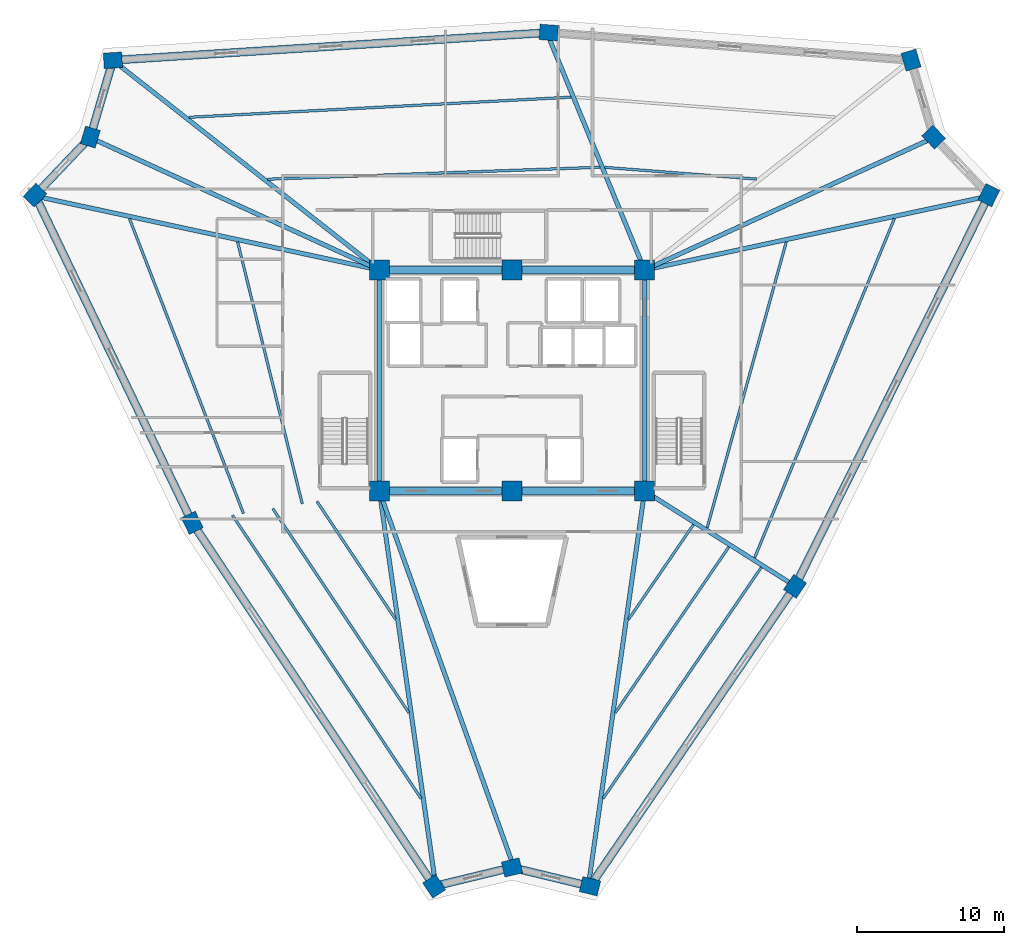
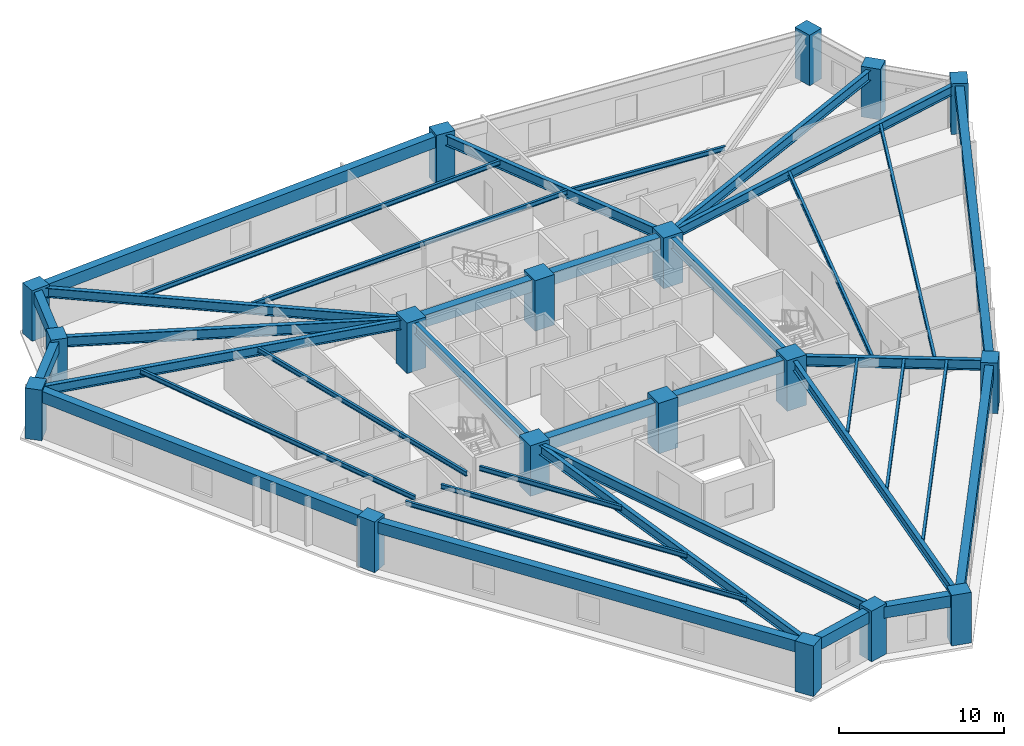
# One storey, part 1 of 8: 38 beams, 18 columns.
"""IFC4 building model written with IfcOpenShell, lengths in metres."""

from ifc_helpers import new_model, si_unit, direction, frame, origin, origin_2d, place, context, subcontext, project, spatial, rectangle, i_section, extrude, source, transform, mapped, material, material_profile, profile_set, type_object, element, save


model = new_model("IFC4")

# Units and contexts
model_context = context("Model", 3, precision=1e-05, world=origin(), true_north=direction((0.0, 1.0)))
body_context = subcontext(model_context, "Body", "Model", "MODEL_VIEW")
ifc_project = project(units=[si_unit("LENGTHUNIT", "METRE"), si_unit("AREAUNIT", "SQUARE_METRE"), si_unit("VOLUMEUNIT", "CUBIC_METRE"), si_unit("PLANEANGLEUNIT", "RADIAN"), si_unit("MASSUNIT", "GRAM", prefix="KILO")], contexts=[model_context])

# Site, building, storey
site_placement = place(None, origin())
site = spatial("IfcSite", under=ifc_project, at=site_placement, CompositionType="ELEMENT")
building_placement = place(site_placement, origin())
building = spatial("IfcBuilding", under=site, at=building_placement, Name="Liaohun Quay Tower", CompositionType="ELEMENT")
storey_placement = place(building_placement, frame((0.0, 0.0, 243.75)))
storey = spatial("IfcBuildingStorey", under=building, at=storey_placement, Name="L63", CompositionType="ELEMENT", Elevation=243.75)

# Columns
ifc_material_1 = material(Name="Concrete C55", Category="concrete")
ifc_material_profile_1 = material_profile(ifc_material_1, rectangle(XDim=1.35009765625, YDim=1.35009765625, at=origin_2d()), Name="RC1350x1350")
ifc_profile_set_1 = profile_set([ifc_material_profile_1], Name="Concrete C55")
column_type_1 = type_object("IfcColumnType", Name="COL-CC-Z3", PredefinedType="COLUMN", material=ifc_profile_set_1)
shared_shape_1 = source(origin(), body_context, "Body", "SweptSolid", [
    extrude(rectangle(XDim=1.35009765625, YDim=1.35009765625, at=origin_2d()), origin(), (0.0, 0.0, 1.0), 3.75),
])
for number, where, z_axis, x_axis, name in (
    (1, (51.0, 46.5, 0.0), (0.0, 0.0, 1.0), (1.0, 0.0, 0.0), "L63 Core Column CC1"),
    (2, (60.0, 46.5, 0.0), (0.0, 0.0, 1.0), (1.0, 0.0, 0.0), "L63 Core Column CC2"),
    (3, (69.0, 46.5, 0.0), (0.0, 0.0, 1.0), (1.0, 0.0, 0.0), "L63 Core Column CC3"),
    (4, (69.0, 61.5, 0.0), (0.0, 0.0, 1.0), (1.0, 0.0, 0.0), "L63 Core Column CC4"),
    (5, (60.0, 61.5, 0.0), (0.0, 0.0, 1.0), (1.0, 0.0, 0.0), "L63 Core Column CC5"),
    (6, (51.0, 61.5, 0.0), (0.0, 0.0, 1.0), (1.0, 0.0, 0.0), "L63 Core Column CC6"),
):
    element("IfcColumn", number, at=place(storey_placement, frame(where, z_axis=z_axis, x_axis=x_axis)), inside=storey, type_object=column_type_1, Name=name, PredefinedType="COLUMN", context=body_context, shape_type="MappedRepresentation", body=[
        mapped(shared_shape_1, transform((0.0, 0.0, 0.0), x_axis=(1.0, 0.0, 0.0), y_axis=(0.0, 1.0, 0.0), z_axis=(0.0, 0.0, 1.0), scale=1.0)),
    ])
ifc_material_profile_2 = material_profile(ifc_material_1, rectangle(XDim=1.25, YDim=1.050048828125, at=origin_2d()), Name="RC1250x1050")
ifc_profile_set_2 = profile_set([ifc_material_profile_2], Name="Concrete C55")
column_type_2 = type_object("IfcColumnType", Name="COL-PIER-Z3", PredefinedType="COLUMN", material=ifc_profile_set_2)
shared_shape_2 = source(origin(), body_context, "Body", "SweptSolid", [
    extrude(rectangle(XDim=1.25, YDim=1.050048828125, at=origin_2d()), origin(), (0.0, 0.0, 1.0), 3.75),
])
for number, where, z_axis, x_axis, name in (
    (7, (54.715087890625, 19.677001953125, 0.0), (0.0, 0.0, 1.0), (-0.55397290306, 0.83253469758, 0.0), "L63 Perimeter Pier PC01"),
    (8, (38.300048828125, 44.346923828125, 0.0), (0.0, 0.0, 1.0), (-0.43271524133, 0.9015306539, 0.0), "L63 Perimeter Pier PC02"),
    (9, (27.626953125, 66.5791015625, 0.0), (0.0, 0.0, 1.0), (0.68936671806, 0.724412539946, 0.0), "L63 Perimeter Pier PC03"),
    (10, (31.381103515625, 70.52392578125, 0.0), (0.0, 0.0, 1.0), (0.282508884416, 0.959264682049, 0.0), "L63 Perimeter Pier PC04"),
    (11, (32.9169921875, 75.738037109375, 0.0), (0.0, 0.0, 1.0), (0.997982649167, 0.063487258268, 0.0), "L63 Perimeter Pier PC05"),
    (12, (62.490966796875, 77.6201171875, 0.0), (0.0, 0.0, 1.0), (-0.997106069232, 0.076022935354, 0.0), "L63 Perimeter Pier PC06"),
    (13, (87.080078125, 75.74609375, 0.0), (0.0, 0.0, 1.0), (-0.282508884416, 0.959264682049, 0.0), "L63 Perimeter Pier PC07"),
    (14, (88.618896484375, 70.52392578125, 0.0), (0.0, 0.0, 1.0), (-0.68936671806, 0.724412539946, 0.0), "L63 Perimeter Pier PC08"),
    (15, (92.366943359375, 66.5849609375, 0.0), (0.0, 0.0, 1.0), (0.444009746106, 0.896021955849, 0.0), "L63 Perimeter Pier PC09"),
    (16, (79.2099609375, 40.033935546875, 0.0), (0.0, 0.0, 1.0), (0.564390827903, 0.825507718546, 0.0), "L63 Perimeter Pier PC10"),
    (17, (65.2919921875, 19.675048828125, 0.0), (0.0, 0.0, 1.0), (-0.972043021443, 0.234802820391, 0.0), "L63 Perimeter Pier PC11"),
    (18, (60.0, 20.952880859375, 0.0), (0.0, 0.0, 1.0), (0.972043021443, 0.234802820391, 0.0), "L63 Perimeter Pier PC12"),
):
    element("IfcColumn", number, at=place(storey_placement, frame(where, z_axis=z_axis, x_axis=x_axis)), inside=storey, type_object=column_type_2, Name=name, PredefinedType="COLUMN", context=body_context, shape_type="MappedRepresentation", body=[
        mapped(shared_shape_2, transform((0.0, 0.0, 0.0), x_axis=(1.0, 0.0, 0.0), y_axis=(0.0, 1.0, 0.0), z_axis=(0.0, 0.0, 1.0), scale=1.0)),
    ])

# Beams
ifc_material_2 = material(Name="Steel Q355D", Category="steel")
ifc_material_profile_3 = material_profile(ifc_material_2, i_section(OverallWidth=0.300048828125, OverallDepth=0.800048828125, WebThickness=0.013916015625, FlangeThickness=0.02587890625, at=origin_2d()), Name="HN800x300x14x26")
ifc_profile_set_3 = profile_set([ifc_material_profile_3], Name="Steel Q355D")
beam_type_1 = type_object("IfcBeamType", Name="BM-RAD-M1", PredefinedType="BEAM", material=ifc_profile_set_3)
shared_shape_3 = source(origin(), body_context, "Body", "SweptSolid", [
    extrude(i_section(OverallWidth=0.300048828125, OverallDepth=0.800048828125, WebThickness=0.013916015625, FlangeThickness=0.02587890625, at=origin_2d()), origin(), (0.0, 0.0, 1.0), 15.0),
])
for number, where, z_axis, x_axis, name in (
    (19, (69.0, 46.5, 3.169921875), (0.0, 1.0, 0.0), (-1.0, 0.0, 0.0), "L63 Core Coupling/Ring Beam CC3-CC4"),
    (20, (51.0, 61.5, 3.169921875), (0.0, -1.0, 0.0), (1.0, 0.0, 0.0), "L63 Core Coupling/Ring Beam CC6-CC1"),
):
    element("IfcBeam", number, at=place(storey_placement, frame(where, z_axis=z_axis, x_axis=x_axis)), inside=storey, type_object=beam_type_1, Name=name, PredefinedType="BEAM", context=body_context, shape_type="MappedRepresentation", body=[
        mapped(shared_shape_3, transform((0.0, 0.0, 0.0), x_axis=(1.0, 0.0, 0.0), y_axis=(0.0, 1.0, 0.0), z_axis=(0.0, 0.0, 1.0), scale=1.0)),
    ])
ifc_material_profile_4 = material_profile(ifc_material_1, rectangle(XDim=0.550048828125, YDim=0.89990234375, at=origin_2d()), Name="RC550x900")
ifc_profile_set_4 = profile_set([ifc_material_profile_4], Name="Concrete C55")
beam_type_2 = type_object("IfcBeamType", Name="BM-CPL-2", PredefinedType="LINTEL", material=ifc_profile_set_4)
shared_shape_4 = source(origin(), body_context, "Body", "SweptSolid", [
    extrude(rectangle(XDim=0.550048828125, YDim=0.89990234375, at=origin_2d()), origin(), (0.0, 0.0, 1.0), 9.0),
])
for number, where, z_axis, x_axis, name in (
    (21, (51.0, 46.5, 3.1201171875), (1.0, 0.0, 0.0), (0.0, 1.0, 0.0), "L63 Core Coupling/Ring Beam CC1-CC2"),
    (22, (60.0, 46.5, 3.1201171875), (1.0, 0.0, 0.0), (0.0, 1.0, 0.0), "L63 Core Coupling/Ring Beam CC2-CC3"),
    (23, (69.0, 61.5, 3.1201171875), (-1.0, 0.0, 0.0), (0.0, -1.0, 0.0), "L63 Core Coupling/Ring Beam CC4-CC5"),
    (24, (60.0, 61.5, 3.1201171875), (-1.0, 0.0, 0.0), (0.0, -1.0, 0.0), "L63 Core Coupling/Ring Beam CC5-CC6"),
):
    element("IfcBeam", number, at=place(storey_placement, frame(where, z_axis=z_axis, x_axis=x_axis)), inside=storey, type_object=beam_type_2, Name=name, PredefinedType="LINTEL", context=body_context, shape_type="MappedRepresentation", body=[
        mapped(shared_shape_4, transform((0.0, 0.0, 0.0), x_axis=(1.0, 0.0, 0.0), y_axis=(0.0, 1.0, 0.0), z_axis=(0.0, 0.0, 1.0), scale=1.0)),
    ])
ifc_material_3 = material(Name="Precast concrete C50", Category="concrete")
ifc_material_profile_5 = material_profile(ifc_material_3, rectangle(XDim=0.550048828125, YDim=0.85009765625, at=origin_2d()), Name="RC550x850")
ifc_profile_set_5 = profile_set([ifc_material_profile_5], Name="Precast concrete C50")
beam_type_3 = type_object("IfcBeamType", Name="BM-SPD-Z3", PredefinedType="SPANDREL", material=ifc_profile_set_5)
shared_shape_5 = source(origin(), body_context, "Body", "SweptSolid", [
    extrude(rectangle(XDim=0.550048828125, YDim=0.85009765625, at=origin_2d()), origin(), (0.0, 0.0, 1.0), 29.632080078125),
])
for number, where, z_axis, x_axis, name in (
    (25, (54.715087890625, 19.677001953125, 3.14501953125), (-0.553962264344, 0.832541776539, 0.0), (-0.832541776539, -0.553962264344, 0.0), "L63 Precast Spandrel Beam PC01-PC02"),
    (26, (92.366943359375, 66.5849609375, 3.14501953125), (-0.444010685914, -0.896021490141, 0.0), (0.896021490141, -0.444010685914, 0.0), "L63 Precast Spandrel Beam PC09-PC10"),
):
    element("IfcBeam", number, at=place(storey_placement, frame(where, z_axis=z_axis, x_axis=x_axis)), inside=storey, type_object=beam_type_3, Name=name, PredefinedType="SPANDREL", context=body_context, shape_type="MappedRepresentation", body=[
        mapped(shared_shape_5, transform((0.0, 0.0, 0.0), x_axis=(1.0, 0.0, 0.0), y_axis=(0.0, 1.0, 0.0), z_axis=(0.0, 0.0, 1.0), scale=1.0)),
    ])
shared_shape_6 = source(origin(), body_context, "Body", "SweptSolid", [
    extrude(rectangle(XDim=0.550048828125, YDim=0.85009765625, at=origin_2d()), origin(), (0.0, 0.0, 1.0), 24.661376953125),
])
beam_1_placement = place(storey_placement, frame((38.300048828125, 44.346923828125, 3.14501953125), z_axis=(-0.432785457251, 0.90149694841, 0.0), x_axis=(-0.90149694841, -0.432785457251, 0.0)))
element("IfcBeam", 27, at=beam_1_placement, inside=storey, type_object=beam_type_3, Name="L63 Precast Spandrel Beam PC02-PC03", PredefinedType="SPANDREL", context=body_context, shape_type="MappedRepresentation", body=[
    mapped(shared_shape_6, transform((0.0, 0.0, 0.0), x_axis=(1.0, 0.0, 0.0), y_axis=(0.0, 1.0, 0.0), z_axis=(0.0, 0.0, 1.0), scale=1.0)),
])
shared_shape_7 = source(origin(), body_context, "Body", "SweptSolid", [
    extrude(rectangle(XDim=0.550048828125, YDim=0.85009765625, at=origin_2d()), origin(), (0.0, 0.0, 1.0), 5.445556640625),
])
beam_2_placement = place(storey_placement, frame((27.626953125, 66.5791015625, 3.14501953125), z_axis=(0.689383092633, 0.724396957194, 0.0), x_axis=(-0.724396957194, 0.689383092633, 0.0)))
element("IfcBeam", 28, at=beam_2_placement, inside=storey, type_object=beam_type_3, Name="L63 Precast Spandrel Beam PC03-PC04", PredefinedType="SPANDREL", context=body_context, shape_type="MappedRepresentation", body=[
    mapped(shared_shape_7, transform((0.0, 0.0, 0.0), x_axis=(1.0, 0.0, 0.0), y_axis=(0.0, 1.0, 0.0), z_axis=(0.0, 0.0, 1.0), scale=1.0)),
])
shared_shape_8 = source(origin(), body_context, "Body", "SweptSolid", [
    extrude(rectangle(XDim=0.550048828125, YDim=0.85009765625, at=origin_2d()), origin(), (0.0, 0.0, 1.0), 5.435546875),
])
beam_3_placement = place(storey_placement, frame((31.381103515625, 70.52392578125, 3.14501953125), z_axis=(0.282560236182, 0.959249557169, 0.0), x_axis=(-0.959249557169, 0.282560236182, 0.0)))
element("IfcBeam", 29, at=beam_3_placement, inside=storey, type_object=beam_type_3, Name="L63 Precast Spandrel Beam PC04-PC05", PredefinedType="SPANDREL", context=body_context, shape_type="MappedRepresentation", body=[
    mapped(shared_shape_8, transform((0.0, 0.0, 0.0), x_axis=(1.0, 0.0, 0.0), y_axis=(0.0, 1.0, 0.0), z_axis=(0.0, 0.0, 1.0), scale=1.0)),
])
shared_shape_9 = source(origin(), body_context, "Body", "SweptSolid", [
    extrude(rectangle(XDim=0.550048828125, YDim=0.85009765625, at=origin_2d()), origin(), (0.0, 0.0, 1.0), 29.6337890625),
])
beam_4_placement = place(storey_placement, frame((32.9169921875, 75.738037109375, 3.14501953125), z_axis=(0.997981121998, 0.063511259912, 0.0), x_axis=(-0.063511259912, 0.997981121998, 0.0)))
element("IfcBeam", 30, at=beam_4_placement, inside=storey, type_object=beam_type_3, Name="L63 Precast Spandrel Beam PC05-PC06", PredefinedType="SPANDREL", context=body_context, shape_type="MappedRepresentation", body=[
    mapped(shared_shape_9, transform((0.0, 0.0, 0.0), x_axis=(1.0, 0.0, 0.0), y_axis=(0.0, 1.0, 0.0), z_axis=(0.0, 0.0, 1.0), scale=1.0)),
])
shared_shape_10 = source(origin(), body_context, "Body", "SweptSolid", [
    extrude(rectangle(XDim=0.550048828125, YDim=0.85009765625, at=origin_2d()), origin(), (0.0, 0.0, 1.0), 5.444091796875),
])
beam_5_placement = place(storey_placement, frame((65.2919921875, 19.675048828125, 3.14501953125), z_axis=(-0.972063158785, 0.234719439614, 0.0), x_axis=(-0.234719439614, -0.972063158785, 0.0)))
element("IfcBeam", 31, at=beam_5_placement, inside=storey, type_object=beam_type_3, Name="L63 Precast Spandrel Beam PC11-PC12", PredefinedType="SPANDREL", context=body_context, shape_type="MappedRepresentation", body=[
    mapped(shared_shape_10, transform((0.0, 0.0, 0.0), x_axis=(1.0, 0.0, 0.0), y_axis=(0.0, 1.0, 0.0), z_axis=(0.0, 0.0, 1.0), scale=1.0)),
])
shared_shape_11 = source(origin(), body_context, "Body", "SweptSolid", [
    extrude(rectangle(XDim=0.550048828125, YDim=0.85009765625, at=origin_2d()), origin(), (0.0, 0.0, 1.0), 24.66162109375),
])
beam_6_placement = place(storey_placement, frame((79.2099609375, 40.033935546875, 3.14501953125), z_axis=(-0.564358080391, -0.825530106718, 0.0), x_axis=(0.825530106718, -0.564358080391, 0.0)))
element("IfcBeam", 32, at=beam_6_placement, inside=storey, type_object=beam_type_3, Name="L63 Precast Spandrel Beam PC10-PC11", PredefinedType="SPANDREL", context=body_context, shape_type="MappedRepresentation", body=[
    mapped(shared_shape_11, transform((0.0, 0.0, 0.0), x_axis=(1.0, 0.0, 0.0), y_axis=(0.0, 1.0, 0.0), z_axis=(0.0, 0.0, 1.0), scale=1.0)),
])
shared_shape_12 = source(origin(), body_context, "Body", "SweptSolid", [
    extrude(rectangle(XDim=0.550048828125, YDim=0.85009765625, at=origin_2d()), origin(), (0.0, 0.0, 1.0), 5.436767578125),
])
beam_7_placement = place(storey_placement, frame((60.0, 20.952880859375, 3.14501953125), z_axis=(-0.972073378115, -0.234677113412, 0.0), x_axis=(0.234677113412, -0.972073378115, 0.0)))
element("IfcBeam", 33, at=beam_7_placement, inside=storey, type_object=beam_type_3, Name="L63 Precast Spandrel Beam PC12-PC01", PredefinedType="SPANDREL", context=body_context, shape_type="MappedRepresentation", body=[
    mapped(shared_shape_12, transform((0.0, 0.0, 0.0), x_axis=(1.0, 0.0, 0.0), y_axis=(0.0, 1.0, 0.0), z_axis=(0.0, 0.0, 1.0), scale=1.0)),
])
ifc_material_profile_6 = material_profile(ifc_material_2, i_section(OverallWidth=0.300048828125, OverallDepth=0.699951171875, WebThickness=0.012939453125, FlangeThickness=0.02392578125, at=origin_2d()), Name="HN700x300x13x24")
ifc_profile_set_6 = profile_set([ifc_material_profile_6], Name="Steel Q355D")
beam_type_4 = type_object("IfcBeamType", Name="BM-RAD-U1", PredefinedType="BEAM", material=ifc_profile_set_6)
shared_shape_13 = source(origin(), body_context, "Body", "SweptSolid", [
    extrude(i_section(OverallWidth=0.300048828125, OverallDepth=0.699951171875, WebThickness=0.012939453125, FlangeThickness=0.02392578125, at=origin_2d()), origin(), (0.0, 0.0, 1.0), 26.708251953125),
])
beam_8_placement = place(storey_placement, frame((51.0, 46.5, 3.219970703125), z_axis=(0.141375285255, -0.989956074136, 0.0), x_axis=(0.989956074136, 0.141375285255, 0.0)))
element("IfcBeam", 34, at=beam_8_placement, inside=storey, type_object=beam_type_4, Name="L63 Radial Primary Girder CC1-PC01", PredefinedType="BEAM", context=body_context, shape_type="MappedRepresentation", body=[
    mapped(shared_shape_13, transform((0.0, 0.0, 0.0), x_axis=(1.0, 0.0, 0.0), y_axis=(0.0, 1.0, 0.0), z_axis=(0.0, 0.0, 1.0), scale=1.0)),
])
shared_shape_14 = source(origin(), body_context, "Body", "SweptSolid", [
    extrude(i_section(OverallWidth=0.300048828125, OverallDepth=0.699951171875, WebThickness=0.012939453125, FlangeThickness=0.02392578125, at=origin_2d()), origin(), (0.0, 0.0, 1.0), 23.534423828125),
])
beam_9_placement = place(storey_placement, frame((51.0, 61.5, 3.219970703125), z_axis=(-0.977713517011, 0.209943513006, 0.0), x_axis=(-0.209943513006, -0.977713517011, 0.0)))
element("IfcBeam", 35, at=beam_9_placement, inside=storey, type_object=beam_type_4, Name="L63 Radial Primary Girder CC6-PC03", PredefinedType="BEAM", context=body_context, shape_type="MappedRepresentation", body=[
    mapped(shared_shape_14, transform((0.0, 0.0, 0.0), x_axis=(1.0, 0.0, 0.0), y_axis=(0.0, 1.0, 0.0), z_axis=(0.0, 0.0, 1.0), scale=1.0)),
])
ifc_material_profile_7 = material_profile(ifc_material_2, i_section(OverallWidth=0.300048828125, OverallDepth=0.75, WebThickness=0.013916015625, FlangeThickness=0.02587890625, at=origin_2d()), Name="HN750x300x14x26")
ifc_profile_set_7 = profile_set([ifc_material_profile_7], Name="Steel Q355D")
beam_type_5 = type_object("IfcBeamType", Name="BM-RAD-M2", PredefinedType="BEAM", material=ifc_profile_set_7)
shared_shape_15 = source(origin(), body_context, "Body", "SweptSolid", [
    extrude(i_section(OverallWidth=0.300048828125, OverallDepth=0.75, WebThickness=0.013916015625, FlangeThickness=0.02587890625, at=origin_2d()), origin(), (0.0, 0.0, 1.0), 21.228759765625),
])
for number, where, z_axis, x_axis, name in (
    (36, (51.0, 61.5, 3.195068359375), (-0.90919310001, 0.416374719327, 0.0), (-0.416374719327, -0.90919310001, 0.0), "L63 Radial Primary Girder CC6-PC04"),
    (37, (69.0, 61.5, 3.195068359375), (0.90919310001, 0.416374719327, 0.0), (-0.416374719327, 0.90919310001, 0.0), "L63 Radial Primary Girder CC4-PC08"),
):
    element("IfcBeam", number, at=place(storey_placement, frame(where, z_axis=z_axis, x_axis=x_axis)), inside=storey, type_object=beam_type_5, Name=name, PredefinedType="BEAM", context=body_context, shape_type="MappedRepresentation", body=[
        mapped(shared_shape_15, transform((0.0, 0.0, 0.0), x_axis=(1.0, 0.0, 0.0), y_axis=(0.0, 1.0, 0.0), z_axis=(0.0, 0.0, 1.0), scale=1.0)),
    ])
shared_shape_16 = source(origin(), body_context, "Body", "SweptSolid", [
    extrude(i_section(OverallWidth=0.300048828125, OverallDepth=0.699951171875, WebThickness=0.012939453125, FlangeThickness=0.02392578125, at=origin_2d()), origin(), (0.0, 0.0, 1.0), 22.627197265625),
])
beam_10_placement = place(storey_placement, frame((51.0, 61.5, 3.219970703125), z_axis=(-0.785821999061, 0.618452735294, 0.0), x_axis=(-0.618452735294, -0.785821999061, 0.0)))
element("IfcBeam", 38, at=beam_10_placement, inside=storey, type_object=beam_type_4, Name="L63 Radial Primary Girder CC6-PC05", PredefinedType="BEAM", context=body_context, shape_type="MappedRepresentation", body=[
    mapped(shared_shape_16, transform((0.0, 0.0, 0.0), x_axis=(1.0, 0.0, 0.0), y_axis=(0.0, 1.0, 0.0), z_axis=(0.0, 0.0, 1.0), scale=1.0)),
])
shared_shape_17 = source(origin(), body_context, "Body", "SweptSolid", [
    extrude(i_section(OverallWidth=0.300048828125, OverallDepth=0.75, WebThickness=0.013916015625, FlangeThickness=0.02587890625, at=origin_2d()), origin(), (0.0, 0.0, 1.0), 17.163330078125),
])
beam_11_placement = place(storey_placement, frame((69.0, 61.5, 3.195068359375), z_axis=(-0.380806324116, 0.924654823982, 0.0), x_axis=(-0.924654823982, -0.380806324116, 0.0)))
element("IfcBeam", 39, at=beam_11_placement, inside=storey, type_object=beam_type_5, Name="L63 Radial Primary Girder CC4-PC06", PredefinedType="BEAM", context=body_context, shape_type="MappedRepresentation", body=[
    mapped(shared_shape_17, transform((0.0, 0.0, 0.0), x_axis=(1.0, 0.0, 0.0), y_axis=(0.0, 1.0, 0.0), z_axis=(0.0, 0.0, 1.0), scale=1.0)),
])
shared_shape_18 = source(origin(), body_context, "Body", "SweptSolid", [
    extrude(i_section(OverallWidth=0.300048828125, OverallDepth=0.699951171875, WebThickness=0.012939453125, FlangeThickness=0.02392578125, at=origin_2d()), origin(), (0.0, 0.0, 1.0), 23.530517578125),
])
beam_12_placement = place(storey_placement, frame((69.0, 61.5, 3.219970703125), z_axis=(0.977659156704, 0.210196511182, 0.0), x_axis=(-0.210196511182, 0.977659156704, 0.0)))
element("IfcBeam", 40, at=beam_12_placement, inside=storey, type_object=beam_type_4, Name="L63 Radial Primary Girder CC4-PC09", PredefinedType="BEAM", context=body_context, shape_type="MappedRepresentation", body=[
    mapped(shared_shape_18, transform((0.0, 0.0, 0.0), x_axis=(1.0, 0.0, 0.0), y_axis=(0.0, 1.0, 0.0), z_axis=(0.0, 0.0, 1.0), scale=1.0)),
])
shared_shape_19 = source(origin(), body_context, "Body", "SweptSolid", [
    extrude(i_section(OverallWidth=0.300048828125, OverallDepth=0.75, WebThickness=0.013916015625, FlangeThickness=0.02587890625, at=origin_2d()), origin(), (0.0, 0.0, 1.0), 11.83544921875),
])
beam_13_placement = place(storey_placement, frame((69.0, 46.5, 3.195068359375), z_axis=(0.845594272017, -0.533826120692, 0.0), x_axis=(0.533826120692, 0.845594272017, 0.0)))
element("IfcBeam", 41, at=beam_13_placement, inside=storey, type_object=beam_type_5, Name="L63 Radial Primary Girder CC3-PC10", PredefinedType="BEAM", context=body_context, shape_type="MappedRepresentation", body=[
    mapped(shared_shape_19, transform((0.0, 0.0, 0.0), x_axis=(1.0, 0.0, 0.0), y_axis=(0.0, 1.0, 0.0), z_axis=(0.0, 0.0, 1.0), scale=1.0)),
])
shared_shape_20 = source(origin(), body_context, "Body", "SweptSolid", [
    extrude(i_section(OverallWidth=0.300048828125, OverallDepth=0.699951171875, WebThickness=0.012939453125, FlangeThickness=0.02392578125, at=origin_2d()), origin(), (0.0, 0.0, 1.0), 26.708984375),
])
beam_14_placement = place(storey_placement, frame((69.0, 46.5, 3.219970703125), z_axis=(-0.141078386686, -0.989998428691, 0.0), x_axis=(0.989998428691, -0.141078386686, 0.0)))
element("IfcBeam", 42, at=beam_14_placement, inside=storey, type_object=beam_type_4, Name="L63 Radial Primary Girder CC3-PC11", PredefinedType="BEAM", context=body_context, shape_type="MappedRepresentation", body=[
    mapped(shared_shape_20, transform((0.0, 0.0, 0.0), x_axis=(1.0, 0.0, 0.0), y_axis=(0.0, 1.0, 0.0), z_axis=(0.0, 0.0, 1.0), scale=1.0)),
])
shared_shape_21 = source(origin(), body_context, "Body", "SweptSolid", [
    extrude(i_section(OverallWidth=0.300048828125, OverallDepth=0.75, WebThickness=0.013916015625, FlangeThickness=0.02587890625, at=origin_2d()), origin(), (0.0, 0.0, 1.0), 26.739013671875),
])
beam_15_placement = place(storey_placement, frame((51.0, 46.5, 3.195068359375), z_axis=(0.336585675987, -0.941652846181, 0.0), x_axis=(0.941652846181, 0.336585675987, 0.0)))
element("IfcBeam", 43, at=beam_15_placement, inside=storey, type_object=beam_type_5, Name="L63 Radial Primary Girder CC1-PC12", PredefinedType="BEAM", context=body_context, shape_type="MappedRepresentation", body=[
    mapped(shared_shape_21, transform((0.0, 0.0, 0.0), x_axis=(1.0, 0.0, 0.0), y_axis=(0.0, 1.0, 0.0), z_axis=(0.0, 0.0, 1.0), scale=1.0)),
])
ifc_material_profile_8 = material_profile(ifc_material_2, i_section(OverallWidth=0.175048828125, OverallDepth=0.35009765625, WebThickness=0.007080078125, FlangeThickness=0.010986328125, at=origin_2d()), Name="HN350x175x7x11")
ifc_profile_set_8 = profile_set([ifc_material_profile_8], Name="Steel Q355D")
beam_type_6 = type_object("IfcBeamType", Name="BM-SEC-J3", PredefinedType="JOIST", material=ifc_profile_set_8)
shared_shape_22 = source(origin(), body_context, "Body", "SweptSolid", [
    extrude(i_section(OverallWidth=0.175048828125, OverallDepth=0.35009765625, WebThickness=0.007080078125, FlangeThickness=0.010986328125, at=origin_2d()), origin(), (0.0, 0.0, 1.0), 9.615234375),
])
beam_16_placement = place(storey_placement, frame((52.091064453125, 37.800048828125, 3.39501953125), z_axis=(-0.554442351207, 0.83222213332, 0.0), x_axis=(-0.83222213332, -0.554442351207, 0.0)))
element("IfcBeam", 44, at=beam_16_placement, inside=storey, type_object=beam_type_6, Name="L63 Wing Secondary Floor Joist SJ-01", PredefinedType="JOIST", context=body_context, shape_type="MappedRepresentation", body=[
    mapped(shared_shape_22, transform((0.0, 0.0, 0.0), x_axis=(1.0, 0.0, 0.0), y_axis=(0.0, 1.0, 0.0), z_axis=(0.0, 0.0, 1.0), scale=1.0)),
])
shared_shape_23 = source(origin(), body_context, "Body", "SweptSolid", [
    extrude(i_section(OverallWidth=0.175048828125, OverallDepth=0.35009765625, WebThickness=0.007080078125, FlangeThickness=0.010986328125, at=origin_2d()), origin(), (0.0, 0.0, 1.0), 16.648681640625),
])
beam_17_placement = place(storey_placement, frame((52.9970703125, 31.4541015625, 3.39501953125), z_axis=(-0.554395594444, 0.832253281677, 0.0), x_axis=(-0.832253281677, -0.554395594444, 0.0)))
element("IfcBeam", 45, at=beam_17_placement, inside=storey, type_object=beam_type_6, Name="L63 Wing Secondary Floor Joist SJ-02", PredefinedType="JOIST", context=body_context, shape_type="MappedRepresentation", body=[
    mapped(shared_shape_23, transform((0.0, 0.0, 0.0), x_axis=(1.0, 0.0, 0.0), y_axis=(0.0, 1.0, 0.0), z_axis=(0.0, 0.0, 1.0), scale=1.0)),
])
shared_shape_24 = source(origin(), body_context, "Body", "SweptSolid", [
    extrude(i_section(OverallWidth=0.175048828125, OverallDepth=0.35009765625, WebThickness=0.007080078125, FlangeThickness=0.010986328125, at=origin_2d()), origin(), (0.0, 0.0, 1.0), 23.09423828125),
])
beam_18_placement = place(storey_placement, frame((53.827880859375, 25.637939453125, 3.39501953125), z_axis=(-0.554419614715, 0.832237280359, 0.0), x_axis=(-0.832237280359, -0.554419614715, 0.0)))
element("IfcBeam", 46, at=beam_18_placement, inside=storey, type_object=beam_type_6, Name="L63 Wing Secondary Floor Joist SJ-03", PredefinedType="JOIST", context=body_context, shape_type="MappedRepresentation", body=[
    mapped(shared_shape_24, transform((0.0, 0.0, 0.0), x_axis=(1.0, 0.0, 0.0), y_axis=(0.0, 1.0, 0.0), z_axis=(0.0, 0.0, 1.0), scale=1.0)),
])
shared_shape_25 = source(origin(), body_context, "Body", "SweptSolid", [
    extrude(i_section(OverallWidth=0.175048828125, OverallDepth=0.35009765625, WebThickness=0.007080078125, FlangeThickness=0.010986328125, at=origin_2d()), origin(), (0.0, 0.0, 1.0), 18.30859375),
])
beam_19_placement = place(storey_placement, frame((45.762939453125, 45.637939453125, 3.39501953125), z_axis=(-0.239613415193, 0.970868379987, 0.0), x_axis=(-0.970868379987, -0.239613415193, 0.0)))
element("IfcBeam", 47, at=beam_19_placement, inside=storey, type_object=beam_type_6, Name="L63 Wing Secondary Floor Joist SJ-04", PredefinedType="JOIST", context=body_context, shape_type="MappedRepresentation", body=[
    mapped(shared_shape_25, transform((0.0, 0.0, 0.0), x_axis=(1.0, 0.0, 0.0), y_axis=(0.0, 1.0, 0.0), z_axis=(0.0, 0.0, 1.0), scale=1.0)),
])
shared_shape_26 = source(origin(), body_context, "Body", "SweptSolid", [
    extrude(i_section(OverallWidth=0.175048828125, OverallDepth=0.35009765625, WebThickness=0.007080078125, FlangeThickness=0.010986328125, at=origin_2d()), origin(), (0.0, 0.0, 1.0), 21.4501953125),
])
beam_20_placement = place(storey_placement, frame((41.77197265625, 44.98193359375, 3.39501953125), z_axis=(-0.360596213597, 0.932722022223, 0.0), x_axis=(-0.932722022223, -0.360596213597, 0.0)))
element("IfcBeam", 48, at=beam_20_placement, inside=storey, type_object=beam_type_6, Name="L63 Wing Secondary Floor Joist SJ-05", PredefinedType="JOIST", context=body_context, shape_type="MappedRepresentation", body=[
    mapped(shared_shape_26, transform((0.0, 0.0, 0.0), x_axis=(1.0, 0.0, 0.0), y_axis=(0.0, 1.0, 0.0), z_axis=(0.0, 0.0, 1.0), scale=1.0)),
])
shared_shape_27 = source(origin(), body_context, "Body", "SweptSolid", [
    extrude(i_section(OverallWidth=0.175048828125, OverallDepth=0.35009765625, WebThickness=0.007080078125, FlangeThickness=0.010986328125, at=origin_2d()), origin(), (0.0, 0.0, 1.0), 22.57080078125),
])
beam_21_placement = place(storey_placement, frame((43.407958984375, 67.666015625, 3.39501953125), z_axis=(0.999354199367, 0.03593305174, 0.0), x_axis=(-0.03593305174, 0.999354199367, 0.0)))
element("IfcBeam", 49, at=beam_21_placement, inside=storey, type_object=beam_type_6, Name="L63 Wing Secondary Floor Joist SJ-06", PredefinedType="JOIST", context=body_context, shape_type="MappedRepresentation", body=[
    mapped(shared_shape_27, transform((0.0, 0.0, 0.0), x_axis=(1.0, 0.0, 0.0), y_axis=(0.0, 1.0, 0.0), z_axis=(0.0, 0.0, 1.0), scale=1.0)),
])
shared_shape_28 = source(origin(), body_context, "Body", "SweptSolid", [
    extrude(i_section(OverallWidth=0.175048828125, OverallDepth=0.35009765625, WebThickness=0.007080078125, FlangeThickness=0.010986328125, at=origin_2d()), origin(), (0.0, 0.0, 1.0), 25.9716796875),
])
beam_22_placement = place(storey_placement, frame((38.069091796875, 71.867919921875, 3.39501953125), z_axis=(0.998613489368, 0.052641227683, 0.0), x_axis=(-0.052641227683, 0.998613489368, 0.0)))
element("IfcBeam", 50, at=beam_22_placement, inside=storey, type_object=beam_type_6, Name="L63 Wing Secondary Floor Joist SJ-07", PredefinedType="JOIST", context=body_context, shape_type="MappedRepresentation", body=[
    mapped(shared_shape_28, transform((0.0, 0.0, 0.0), x_axis=(1.0, 0.0, 0.0), y_axis=(0.0, 1.0, 0.0), z_axis=(0.0, 0.0, 1.0), scale=1.0)),
])
shared_shape_29 = source(origin(), body_context, "Body", "SweptSolid", [
    extrude(i_section(OverallWidth=0.175048828125, OverallDepth=0.35009765625, WebThickness=0.007080078125, FlangeThickness=0.010986328125, at=origin_2d()), origin(), (0.0, 0.0, 1.0), 10.339599609375),
])
beam_23_placement = place(storey_placement, frame((66.2919921875, 68.469970703125, 3.39501953125), z_axis=(0.997054763287, -0.076692887585, 0.0), x_axis=(0.076692887585, 0.997054763287, 0.0)))
element("IfcBeam", 51, at=beam_23_placement, inside=storey, type_object=beam_type_6, Name="L63 Wing Secondary Floor Joist SJ-08", PredefinedType="JOIST", context=body_context, shape_type="MappedRepresentation", body=[
    mapped(shared_shape_29, transform((0.0, 0.0, 0.0), x_axis=(1.0, 0.0, 0.0), y_axis=(0.0, 1.0, 0.0), z_axis=(0.0, 0.0, 1.0), scale=1.0)),
])
shared_shape_30 = source(origin(), body_context, "Body", "SweptSolid", [
    extrude(i_section(OverallWidth=0.175048828125, OverallDepth=0.35009765625, WebThickness=0.007080078125, FlangeThickness=0.010986328125, at=origin_2d()), origin(), (0.0, 0.0, 1.0), 20.146484375),
])
beam_24_placement = place(storey_placement, frame((78.616943359375, 63.4140625, 3.39501953125), z_axis=(-0.266639944575, -0.963796212877, 0.0), x_axis=(0.963796212877, -0.266639944575, 0.0)))
element("IfcBeam", 52, at=beam_24_placement, inside=storey, type_object=beam_type_6, Name="L63 Wing Secondary Floor Joist SJ-10", PredefinedType="JOIST", context=body_context, shape_type="MappedRepresentation", body=[
    mapped(shared_shape_30, transform((0.0, 0.0, 0.0), x_axis=(1.0, 0.0, 0.0), y_axis=(0.0, 1.0, 0.0), z_axis=(0.0, 0.0, 1.0), scale=1.0)),
])
shared_shape_31 = source(origin(), body_context, "Body", "SweptSolid", [
    extrude(i_section(OverallWidth=0.175048828125, OverallDepth=0.35009765625, WebThickness=0.007080078125, FlangeThickness=0.010986328125, at=origin_2d()), origin(), (0.0, 0.0, 1.0), 24.90576171875),
])
beam_25_placement = place(storey_placement, frame((85.9541015625, 64.991943359375, 3.39501953125), z_axis=(-0.381036237046, -0.924560104081, 0.0), x_axis=(0.924560104081, -0.381036237046, 0.0)))
element("IfcBeam", 53, at=beam_25_placement, inside=storey, type_object=beam_type_6, Name="L63 Wing Secondary Floor Joist SJ-11", PredefinedType="JOIST", context=body_context, shape_type="MappedRepresentation", body=[
    mapped(shared_shape_31, transform((0.0, 0.0, 0.0), x_axis=(1.0, 0.0, 0.0), y_axis=(0.0, 1.0, 0.0), z_axis=(0.0, 0.0, 1.0), scale=1.0)),
])
shared_shape_32 = source(origin(), body_context, "Body", "SweptSolid", [
    extrude(i_section(OverallWidth=0.175048828125, OverallDepth=0.35009765625, WebThickness=0.007080078125, FlangeThickness=0.010986328125, at=origin_2d()), origin(), (0.0, 0.0, 1.0), 7.803466796875),
])
beam_26_placement = place(storey_placement, frame((72.318115234375, 44.22802734375, 3.39501953125), z_axis=(-0.564910456366, -0.825152214012, 0.0), x_axis=(0.825152214012, -0.564910456366, 0.0)))
element("IfcBeam", 54, at=beam_26_placement, inside=storey, type_object=beam_type_6, Name="L63 Wing Secondary Floor Joist SJ-12", PredefinedType="JOIST", context=body_context, shape_type="MappedRepresentation", body=[
    mapped(shared_shape_32, transform((0.0, 0.0, 0.0), x_axis=(1.0, 0.0, 0.0), y_axis=(0.0, 1.0, 0.0), z_axis=(0.0, 0.0, 1.0), scale=1.0)),
])
shared_shape_33 = source(origin(), body_context, "Body", "SweptSolid", [
    extrude(i_section(OverallWidth=0.175048828125, OverallDepth=0.35009765625, WebThickness=0.007080078125, FlangeThickness=0.010986328125, at=origin_2d()), origin(), (0.0, 0.0, 1.0), 13.656005859375),
])
beam_27_placement = place(storey_placement, frame((74.719970703125, 42.7119140625, 3.39501953125), z_axis=(-0.564865276753, -0.825183142774, 0.0), x_axis=(0.825183142774, -0.564865276753, 0.0)))
element("IfcBeam", 55, at=beam_27_placement, inside=storey, type_object=beam_type_6, Name="L63 Wing Secondary Floor Joist SJ-13", PredefinedType="JOIST", context=body_context, shape_type="MappedRepresentation", body=[
    mapped(shared_shape_33, transform((0.0, 0.0, 0.0), x_axis=(1.0, 0.0, 0.0), y_axis=(0.0, 1.0, 0.0), z_axis=(0.0, 0.0, 1.0), scale=1.0)),
])
shared_shape_34 = source(origin(), body_context, "Body", "SweptSolid", [
    extrude(i_section(OverallWidth=0.175048828125, OverallDepth=0.35009765625, WebThickness=0.007080078125, FlangeThickness=0.010986328125, at=origin_2d()), origin(), (0.0, 0.0, 1.0), 19.021728515625),
])
beam_28_placement = place(storey_placement, frame((76.922119140625, 41.322021484375, 3.39501953125), z_axis=(-0.564888650843, -0.825167141947, 0.0), x_axis=(0.825167141947, -0.564888650843, 0.0)))
element("IfcBeam", 56, at=beam_28_placement, inside=storey, type_object=beam_type_6, Name="L63 Wing Secondary Floor Joist SJ-14", PredefinedType="JOIST", context=body_context, shape_type="MappedRepresentation", body=[
    mapped(shared_shape_34, transform((0.0, 0.0, 0.0), x_axis=(1.0, 0.0, 0.0), y_axis=(0.0, 1.0, 0.0), z_axis=(0.0, 0.0, 1.0), scale=1.0)),
])

save(model, "model.ifc")
